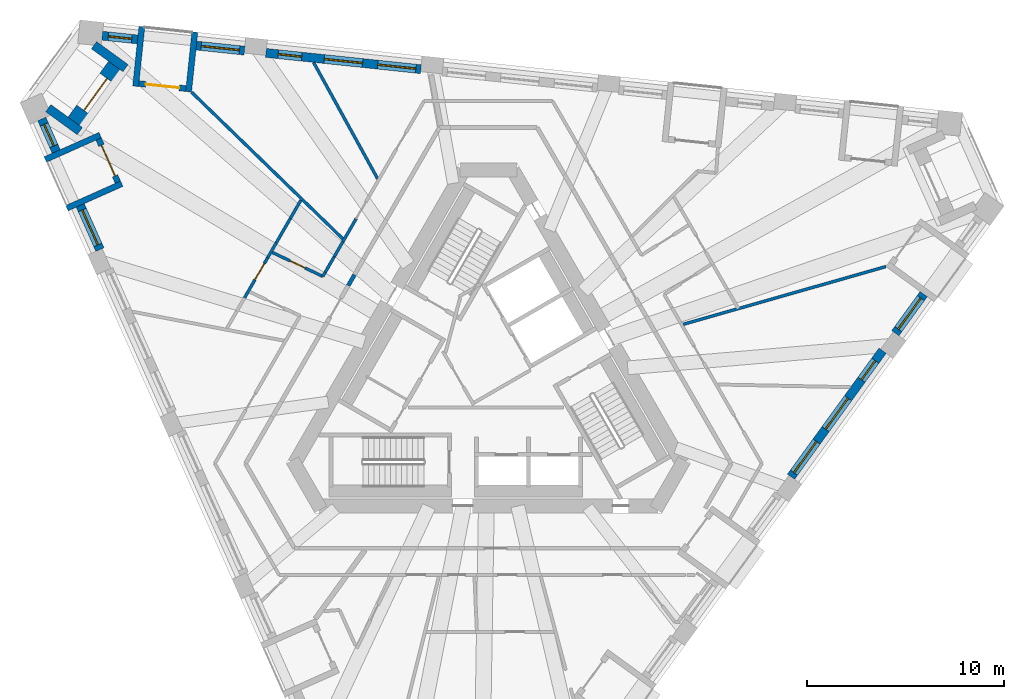
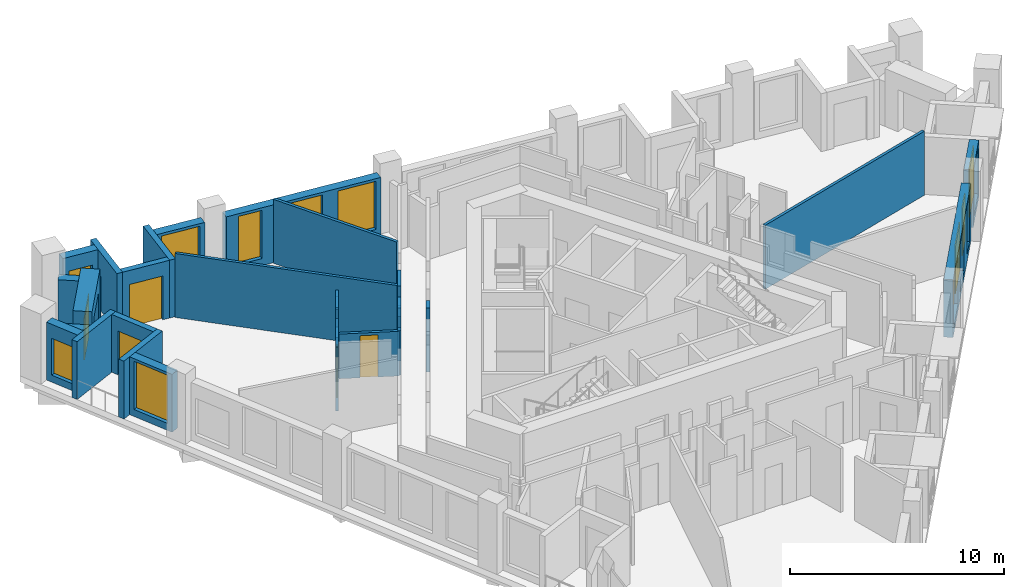
# One storey, part 6 of 11: 29 walls, 11 windows, 5 doors, 16 openings.
"""IFC4 building model written with IfcOpenShell, lengths in metres."""

from ifc_helpers import new_model, si_unit, direction, frame, frame_2d, origin, place, context, subcontext, project, spatial, rectangle, extrude, material, layer, layer_set, type_object, element, fill, save


model = new_model("IFC4")

# Units and contexts
model_context = context("Model", 3, precision=1e-05, world=origin(), true_north=direction((0.0, 1.0)))
body_context = subcontext(model_context, "Body", "Model", "MODEL_VIEW")
ifc_project = project(units=[si_unit("LENGTHUNIT", "METRE"), si_unit("AREAUNIT", "SQUARE_METRE"), si_unit("VOLUMEUNIT", "CUBIC_METRE"), si_unit("PLANEANGLEUNIT", "RADIAN"), si_unit("MASSUNIT", "GRAM", prefix="KILO")], contexts=[model_context])

# Site, building, storey
site_placement = place(None, origin())
site = spatial("IfcSite", under=ifc_project, at=site_placement, CompositionType="ELEMENT")
building_placement = place(site_placement, origin())
building = spatial("IfcBuilding", under=site, at=building_placement, Name="Tramontana Tower", CompositionType="ELEMENT")
storey_placement = place(building_placement, frame((0.0, 0.0, 253.199951171875)))
storey = spatial("IfcBuildingStorey", under=building, at=storey_placement, Name="L59", CompositionType="ELEMENT", Elevation=253.199951171875)

# Wall
ifc_material_1 = material(Name="Blockwork", Category="masonry")
ifc_layer_1 = layer(ifc_material_1, 0.199951171875)
ifc_layer_set_1 = layer_set([ifc_layer_1], Name="ENTRY WALL 200")
wall_type_1 = type_object("IfcWallType", Name="ENTRY WALL 200", PredefinedType="SOLIDWALL", material=ifc_layer_set_1)
wall_1_placement = place(storey_placement, frame((-7.11181640625, 4.78173828125, 0.0), z_axis=(0.0, 0.0, 1.0), x_axis=(0.499956208541, 0.866050685319, 0.0)))
element("IfcWall", 1, at=wall_1_placement, inside=storey, type_object=wall_type_1, Name="Wall v61-ew3-6", PredefinedType="SOLIDWALL", context=body_context, shape_type="SweptSolid", body=[
    extrude(rectangle(XDim=0.6328125, YDim=0.199951171875, at=frame_2d((0.31640625, 0.0))), origin(), (0.0, 0.0, 1.0), 3.650146484375),
])

# Wall, opening, window
ifc_material_2 = material(Name="Precast concrete 60 MPa", Category="concrete")
ifc_layer_2 = layer(ifc_material_2, 0.449951171875)
ifc_layer_set_2 = layer_set([ifc_layer_2], Name="Precast concrete 60 MPa, 450 mm")
wall_type_2 = type_object("IfcWallType", Name="EW1 Stone-faced precast wall 450", PredefinedType="SOLIDWALL", material=ifc_layer_set_2)
wall_2_placement = place(storey_placement, frame((-22.67041015625, 13.240478515625, 0.0), z_axis=(0.0, 0.0, 1.0), x_axis=(0.406779346191, -0.913526443795, 0.0)))
wall_2 = element("IfcWall", 2, at=wall_2_placement, inside=storey, type_object=wall_type_2, Name="External wall L59 face 0 bay 1", PredefinedType="SOLIDWALL", context=body_context, shape_type="SweptSolid", body=[
    extrude(rectangle(XDim=1.80224609375, YDim=0.449951171875, at=frame_2d((0.901123046875, 0.0))), origin(), (0.0, 0.0, 1.0), 3.300048828125),
])
opening_1_placement = place(wall_2_placement, frame((0.301025390625, 0.0, 0.39990234375)))
opening_1 = element("IfcOpeningElement", 3, at=opening_1_placement, cuts=wall_2, Name="Opening N3L", PredefinedType="OPENING", context=body_context, shape_type="SweptSolid", body=[
    extrude(rectangle(XDim=1.199951171875, YDim=2.10009765625, at=frame_2d((0.60009765625, 1.050048828125))), frame((0.0, 0.23486328125, 0.0), z_axis=(0.0, -1.0, 0.0), x_axis=(1.0, 0.0, 0.0)), (0.0, 0.0, 1.0), 0.469970703125),
])
ifc_material_3 = material(Name="Aluminum frame, double glazing unit", Category="aluminium")
window_type_1 = type_object("IfcWindowType", Name="N3L Window 1.2 x 2.1", PartitioningType="SINGLE_PANEL", PredefinedType="WINDOW", material=ifc_material_3)
window_1_placement = place(opening_1_placement, origin())
window_1 = element("IfcWindow", 4, at=window_1_placement, inside=storey, type_object=window_type_1, Name="Window N3L L59 face 0 module 1", OverallHeight=2.10009765625, OverallWidth=1.199951171875, PartitioningType="SINGLE_PANEL", PredefinedType="WINDOW", context=body_context, shape_type="SweptSolid", body=[
    extrude(rectangle(XDim=1.199951171875, YDim=2.10009765625, at=frame_2d((0.60009765625, 1.050048828125))), frame((0.0, 0.030029296875, 0.0), z_axis=(0.0, -1.0, 0.0), x_axis=(1.0, 0.0, 0.0)), (0.0, 0.0, 1.0), 0.06005859375),
])
fill(opening_1, window_1)

wall_3_placement = place(storey_placement, frame((-20.71630859375, 8.851318359375, 0.0), z_axis=(0.0, 0.0, 1.0), x_axis=(0.406821962592, -0.913507466172, 0.0)))
wall_3 = element("IfcWall", 5, at=wall_3_placement, inside=storey, type_object=wall_type_2, Name="External wall L59 face 0 bay 1", PredefinedType="SOLIDWALL", context=body_context, shape_type="SweptSolid", body=[
    extrude(rectangle(XDim=2.4521484375, YDim=0.449951171875, at=frame_2d((1.22607421875, 0.0))), origin(), (0.0, 0.0, 1.0), 3.300048828125),
])
opening_2_placement = place(wall_3_placement, frame((0.251220703125, 0.0, 0.39990234375)))
opening_2 = element("IfcOpeningElement", 6, at=opening_2_placement, cuts=wall_3, Name="Opening M3", PredefinedType="OPENING", context=body_context, shape_type="SweptSolid", body=[
    extrude(rectangle(XDim=1.949951171875, YDim=2.75, at=frame_2d((0.97509765625, 1.375))), frame((0.0, 0.23486328125, 0.0), z_axis=(0.0, -1.0, 0.0), x_axis=(1.0, 0.0, 0.0)), (0.0, 0.0, 1.0), 0.469970703125),
])
ifc_material_4 = material(Name="Aluminum frame, double glazing unit", Category="aluminium")
window_type_2 = type_object("IfcWindowType", Name="M3 Window 1.95 x 2.75", PartitioningType="SINGLE_PANEL", PredefinedType="WINDOW", material=ifc_material_4)
window_2_placement = place(opening_2_placement, origin())
window_2 = element("IfcWindow", 7, at=window_2_placement, inside=storey, type_object=window_type_2, Name="Window M3 L59 face 0 module 3", OverallHeight=2.75, OverallWidth=1.949951171875, PartitioningType="SINGLE_PANEL", PredefinedType="WINDOW", context=body_context, shape_type="SweptSolid", body=[
    extrude(rectangle(XDim=1.949951171875, YDim=2.75, at=frame_2d((0.97509765625, 1.375))), frame((0.0, 0.030029296875, 0.0), z_axis=(0.0, -1.0, 0.0), x_axis=(1.0, 0.0, 0.0)), (0.0, 0.0, 1.0), 0.06005859375),
])
fill(opening_2, window_2)

# Wall, openings, windows
wall_4_placement = place(storey_placement, frame((15.368408203125, -4.919677734375, 0.0), z_axis=(0.0, 0.0, 1.0), x_axis=(0.587782407267, 0.809019061399, 0.0)))
wall_4 = element("IfcWall", 8, at=wall_4_placement, inside=storey, type_object=wall_type_2, Name="External wall L59 face 1 bay 4", PredefinedType="SOLIDWALL", context=body_context, shape_type="SweptSolid", body=[
    extrude(rectangle(XDim=7.90673828125, YDim=0.449951171875, at=frame_2d((3.953369140625, 0.0))), origin(), (0.0, 0.0, 1.0), 3.300048828125),
])
opening_3_placement = place(wall_4_placement, frame((0.251220703125, 0.0, 0.39990234375)))
opening_3 = element("IfcOpeningElement", 9, at=opening_3_placement, cuts=wall_4, Name="Opening M3", PredefinedType="OPENING", context=body_context, shape_type="SweptSolid", body=[
    extrude(rectangle(XDim=1.949951171875, YDim=2.75, at=frame_2d((0.97509765625, 1.375))), frame((0.0, 0.23486328125, 0.0), z_axis=(0.0, -1.0, 0.0), x_axis=(1.0, 0.0, 0.0)), (0.0, 0.0, 1.0), 0.469970703125),
])
opening_4_placement = place(wall_4_placement, frame((2.978271484375, 0.0, 0.39990234375)))
opening_4 = element("IfcOpeningElement", 10, at=opening_4_placement, cuts=wall_4, Name="Opening M3", PredefinedType="OPENING", context=body_context, shape_type="SweptSolid", body=[
    extrude(rectangle(XDim=1.949951171875, YDim=2.75, at=frame_2d((0.97509765625, 1.375))), frame((0.0, 0.23486328125, 0.0), z_axis=(0.0, -1.0, 0.0), x_axis=(1.0, 0.0, 0.0)), (0.0, 0.0, 1.0), 0.469970703125),
])
opening_5_placement = place(wall_4_placement, frame((6.08056640625, 0.0, 0.39990234375)))
opening_5 = element("IfcOpeningElement", 11, at=opening_5_placement, cuts=wall_4, Name="Opening N3", PredefinedType="OPENING", context=body_context, shape_type="SweptSolid", body=[
    extrude(rectangle(XDim=1.199951171875, YDim=2.75, at=frame_2d((0.60009765625, 1.375))), frame((0.0, 0.23486328125, 0.0), z_axis=(0.0, -1.0, 0.0), x_axis=(1.0, 0.0, 0.0)), (0.0, 0.0, 1.0), 0.469970703125),
])
window_3_placement = place(opening_3_placement, origin())
window_3 = element("IfcWindow", 12, at=window_3_placement, inside=storey, type_object=window_type_2, Name="Window M3 L59 face 1 module 10", OverallHeight=2.75, OverallWidth=1.949951171875, PartitioningType="SINGLE_PANEL", PredefinedType="WINDOW", context=body_context, shape_type="SweptSolid", body=[
    extrude(rectangle(XDim=1.949951171875, YDim=2.75, at=frame_2d((0.97509765625, 1.375))), frame((0.0, 0.030029296875, 0.0), z_axis=(0.0, -1.0, 0.0), x_axis=(1.0, 0.0, 0.0)), (0.0, 0.0, 1.0), 0.06005859375),
])
fill(opening_3, window_3)
window_4_placement = place(opening_4_placement, origin())
window_4 = element("IfcWindow", 13, at=window_4_placement, inside=storey, type_object=window_type_2, Name="Window M3 L59 face 1 module 11", OverallHeight=2.75, OverallWidth=1.949951171875, PartitioningType="SINGLE_PANEL", PredefinedType="WINDOW", context=body_context, shape_type="SweptSolid", body=[
    extrude(rectangle(XDim=1.949951171875, YDim=2.75, at=frame_2d((0.97509765625, 1.375))), frame((0.0, 0.030029296875, 0.0), z_axis=(0.0, -1.0, 0.0), x_axis=(1.0, 0.0, 0.0)), (0.0, 0.0, 1.0), 0.06005859375),
])
fill(opening_4, window_4)
ifc_material_5 = material(Name="Aluminum frame, double glazing unit", Category="aluminium")
window_type_3 = type_object("IfcWindowType", Name="N3 Window 1.2 x 2.75", PartitioningType="SINGLE_PANEL", PredefinedType="WINDOW", material=ifc_material_5)
window_5_placement = place(opening_5_placement, origin())
window_5 = element("IfcWindow", 14, at=window_5_placement, inside=storey, type_object=window_type_3, Name="Window N3 L59 face 1 module 12", OverallHeight=2.75, OverallWidth=1.199951171875, PartitioningType="SINGLE_PANEL", PredefinedType="WINDOW", context=body_context, shape_type="SweptSolid", body=[
    extrude(rectangle(XDim=1.199951171875, YDim=2.75, at=frame_2d((0.60009765625, 1.375))), frame((0.0, 0.030029296875, 0.0), z_axis=(0.0, -1.0, 0.0), x_axis=(1.0, 0.0, 0.0)), (0.0, 0.0, 1.0), 0.06005859375),
])
fill(opening_5, window_5)

# Wall, opening, window
wall_5_placement = place(storey_placement, frame((20.662353515625, 2.366943359375, 0.0), z_axis=(0.0, 0.0, 1.0), x_axis=(0.587792773076, 0.809011530152, 0.0)))
wall_5 = element("IfcWall", 15, at=wall_5_placement, inside=storey, type_object=wall_type_2, Name="External wall L59 face 1 bay 5", PredefinedType="SOLIDWALL", context=body_context, shape_type="SweptSolid", body=[
    extrude(rectangle(XDim=2.4521484375, YDim=0.449951171875, at=frame_2d((1.22607421875, 0.0))), origin(), (0.0, 0.0, 1.0), 3.300048828125),
])
opening_6_placement = place(wall_5_placement, frame((0.251220703125, 0.0, 0.39990234375)))
opening_6 = element("IfcOpeningElement", 16, at=opening_6_placement, cuts=wall_5, Name="Opening M3", PredefinedType="OPENING", context=body_context, shape_type="SweptSolid", body=[
    extrude(rectangle(XDim=1.949951171875, YDim=2.75, at=frame_2d((0.97509765625, 1.375))), frame((0.0, 0.23486328125, 0.0), z_axis=(0.0, -1.0, 0.0), x_axis=(1.0, 0.0, 0.0)), (0.0, 0.0, 1.0), 0.469970703125),
])
window_6_placement = place(opening_6_placement, origin())
window_6 = element("IfcWindow", 17, at=window_6_placement, inside=storey, type_object=window_type_2, Name="Window M3 L59 face 1 module 13", OverallHeight=2.75, OverallWidth=1.949951171875, PartitioningType="SINGLE_PANEL", PredefinedType="WINDOW", context=body_context, shape_type="SweptSolid", body=[
    extrude(rectangle(XDim=1.949951171875, YDim=2.75, at=frame_2d((0.97509765625, 1.375))), frame((0.0, 0.030029296875, 0.0), z_axis=(0.0, -1.0, 0.0), x_axis=(1.0, 0.0, 0.0)), (0.0, 0.0, 1.0), 0.06005859375),
])
fill(opening_6, window_6)

# Wall, openings, windows
wall_6_placement = place(storey_placement, frame((-3.423828125, 15.769287109375, 0.0), z_axis=(0.0, 0.0, 1.0), x_axis=(-0.994522528385, 0.104522440343, 0.0)))
wall_6 = element("IfcWall", 18, at=wall_6_placement, inside=storey, type_object=wall_type_2, Name="External wall L59 face 2 bay 4", PredefinedType="SOLIDWALL", context=body_context, shape_type="SweptSolid", body=[
    extrude(rectangle(XDim=7.906494140625, YDim=0.449951171875, at=frame_2d((3.953125, 0.0))), origin(), (0.0, 0.0, 1.0), 3.300048828125),
])
opening_7_placement = place(wall_6_placement, frame((0.251220703125, 0.0, 0.39990234375)))
opening_7 = element("IfcOpeningElement", 19, at=opening_7_placement, cuts=wall_6, Name="Opening M3", PredefinedType="OPENING", context=body_context, shape_type="SweptSolid", body=[
    extrude(rectangle(XDim=1.949951171875, YDim=2.75, at=frame_2d((0.97509765625, 1.375))), frame((0.0, 0.23486328125, 0.0), z_axis=(0.0, -1.0, 0.0), x_axis=(1.0, 0.0, 0.0)), (0.0, 0.0, 1.0), 0.469970703125),
])
opening_8_placement = place(wall_6_placement, frame((2.978271484375, 0.0, 0.39990234375)))
opening_8 = element("IfcOpeningElement", 20, at=opening_8_placement, cuts=wall_6, Name="Opening M3", PredefinedType="OPENING", context=body_context, shape_type="SweptSolid", body=[
    extrude(rectangle(XDim=1.949951171875, YDim=2.75, at=frame_2d((0.97509765625, 1.375))), frame((0.0, 0.23486328125, 0.0), z_axis=(0.0, -1.0, 0.0), x_axis=(1.0, 0.0, 0.0)), (0.0, 0.0, 1.0), 0.469970703125),
])
opening_9_placement = place(wall_6_placement, frame((6.08056640625, 0.0, 0.39990234375)))
opening_9 = element("IfcOpeningElement", 21, at=opening_9_placement, cuts=wall_6, Name="Opening N3", PredefinedType="OPENING", context=body_context, shape_type="SweptSolid", body=[
    extrude(rectangle(XDim=1.199951171875, YDim=2.75, at=frame_2d((0.60009765625, 1.375))), frame((0.0, 0.23486328125, 0.0), z_axis=(0.0, -1.0, 0.0), x_axis=(1.0, 0.0, 0.0)), (0.0, 0.0, 1.0), 0.469970703125),
])
window_7_placement = place(opening_7_placement, origin())
window_7 = element("IfcWindow", 22, at=window_7_placement, inside=storey, type_object=window_type_2, Name="Window M3 L59 face 2 module 10", OverallHeight=2.75, OverallWidth=1.949951171875, PartitioningType="SINGLE_PANEL", PredefinedType="WINDOW", context=body_context, shape_type="SweptSolid", body=[
    extrude(rectangle(XDim=1.949951171875, YDim=2.75, at=frame_2d((0.97509765625, 1.375))), frame((0.0, 0.030029296875, 0.0), z_axis=(0.0, -1.0, 0.0), x_axis=(1.0, 0.0, 0.0)), (0.0, 0.0, 1.0), 0.06005859375),
])
fill(opening_7, window_7)
window_8_placement = place(opening_8_placement, origin())
window_8 = element("IfcWindow", 23, at=window_8_placement, inside=storey, type_object=window_type_2, Name="Window M3 L59 face 2 module 11", OverallHeight=2.75, OverallWidth=1.949951171875, PartitioningType="SINGLE_PANEL", PredefinedType="WINDOW", context=body_context, shape_type="SweptSolid", body=[
    extrude(rectangle(XDim=1.949951171875, YDim=2.75, at=frame_2d((0.97509765625, 1.375))), frame((0.0, 0.030029296875, 0.0), z_axis=(0.0, -1.0, 0.0), x_axis=(1.0, 0.0, 0.0)), (0.0, 0.0, 1.0), 0.06005859375),
])
fill(opening_8, window_8)
window_9_placement = place(opening_9_placement, origin())
window_9 = element("IfcWindow", 24, at=window_9_placement, inside=storey, type_object=window_type_3, Name="Window N3 L59 face 2 module 12", OverallHeight=2.75, OverallWidth=1.199951171875, PartitioningType="SINGLE_PANEL", PredefinedType="WINDOW", context=body_context, shape_type="SweptSolid", body=[
    extrude(rectangle(XDim=1.199951171875, YDim=2.75, at=frame_2d((0.60009765625, 1.375))), frame((0.0, 0.030029296875, 0.0), z_axis=(0.0, -1.0, 0.0), x_axis=(1.0, 0.0, 0.0)), (0.0, 0.0, 1.0), 0.06005859375),
])
fill(opening_9, window_9)

# Wall, opening, window
wall_7_placement = place(storey_placement, frame((-12.381103515625, 16.710693359375, 0.0), z_axis=(0.0, 0.0, 1.0), x_axis=(-0.994520717537, 0.104539668977, 0.0)))
wall_7 = element("IfcWall", 25, at=wall_7_placement, inside=storey, type_object=wall_type_2, Name="External wall L59 face 2 bay 5", PredefinedType="SOLIDWALL", context=body_context, shape_type="SweptSolid", body=[
    extrude(rectangle(XDim=2.4521484375, YDim=0.449951171875, at=frame_2d((1.22607421875, 0.0))), origin(), (0.0, 0.0, 1.0), 3.300048828125),
])
opening_10_placement = place(wall_7_placement, frame((0.251220703125, 0.0, 0.39990234375)))
opening_10 = element("IfcOpeningElement", 26, at=opening_10_placement, cuts=wall_7, Name="Opening M3", PredefinedType="OPENING", context=body_context, shape_type="SweptSolid", body=[
    extrude(rectangle(XDim=1.949951171875, YDim=2.75, at=frame_2d((0.97509765625, 1.375))), frame((0.0, 0.23486328125, 0.0), z_axis=(0.0, -1.0, 0.0), x_axis=(1.0, 0.0, 0.0)), (0.0, 0.0, 1.0), 0.469970703125),
])
window_10_placement = place(opening_10_placement, origin())
window_10 = element("IfcWindow", 27, at=window_10_placement, inside=storey, type_object=window_type_2, Name="Window M3 L59 face 2 module 13", OverallHeight=2.75, OverallWidth=1.949951171875, PartitioningType="SINGLE_PANEL", PredefinedType="WINDOW", context=body_context, shape_type="SweptSolid", body=[
    extrude(rectangle(XDim=1.949951171875, YDim=2.75, at=frame_2d((0.97509765625, 1.375))), frame((0.0, 0.030029296875, 0.0), z_axis=(0.0, -1.0, 0.0), x_axis=(1.0, 0.0, 0.0)), (0.0, 0.0, 1.0), 0.06005859375),
])
fill(opening_10, window_10)

wall_8_placement = place(storey_placement, frame((-17.8056640625, 17.28076171875, 0.0), z_axis=(0.0, 0.0, 1.0), x_axis=(-0.994515840559, 0.104586054885, 0.0)))
wall_8 = element("IfcWall", 28, at=wall_8_placement, inside=storey, type_object=wall_type_2, Name="External wall L59 face 2 bay 5", PredefinedType="SOLIDWALL", context=body_context, shape_type="SweptSolid", body=[
    extrude(rectangle(XDim=1.802001953125, YDim=0.449951171875, at=frame_2d((0.90087890625, 0.0))), origin(), (0.0, 0.0, 1.0), 3.300048828125),
])
opening_11_placement = place(wall_8_placement, frame((0.301025390625, 0.0, 0.39990234375)))
opening_11 = element("IfcOpeningElement", 29, at=opening_11_placement, cuts=wall_8, Name="Opening N3L", PredefinedType="OPENING", context=body_context, shape_type="SweptSolid", body=[
    extrude(rectangle(XDim=1.199951171875, YDim=2.10009765625, at=frame_2d((0.60009765625, 1.050048828125))), frame((0.0, 0.23486328125, 0.0), z_axis=(0.0, -1.0, 0.0), x_axis=(1.0, 0.0, 0.0)), (0.0, 0.0, 1.0), 0.469970703125),
])
window_11_placement = place(opening_11_placement, origin())
window_11 = element("IfcWindow", 30, at=window_11_placement, inside=storey, type_object=window_type_1, Name="Window N3L L59 face 2 module 15", OverallHeight=2.10009765625, OverallWidth=1.199951171875, PartitioningType="SINGLE_PANEL", PredefinedType="WINDOW", context=body_context, shape_type="SweptSolid", body=[
    extrude(rectangle(XDim=1.199951171875, YDim=2.10009765625, at=frame_2d((0.60009765625, 1.050048828125))), frame((0.0, 0.030029296875, 0.0), z_axis=(0.0, -1.0, 0.0), x_axis=(1.0, 0.0, 0.0)), (0.0, 0.0, 1.0), 0.06005859375),
])
fill(opening_11, window_11)

# Walls
for number, where, z_axis, x_axis, name in (
    (31, (-22.34033203125, 13.7900390625, 0.0), (0.0, 0.0, 1.0), (0.809040012586, -0.587753569138, 0.0), "Corner loggia side wall L59 K60l"),
    (32, (-20.0185546875, 16.985595703125, 0.0), (0.0, 0.0, 1.0), (0.809040012586, -0.587753569138, 0.0), "Corner loggia side wall L59 K60r"),
):
    element("IfcWall", number, at=place(storey_placement, frame(where, z_axis=z_axis, x_axis=x_axis)), inside=storey, type_object=wall_type_2, Name=name, PredefinedType="SOLIDWALL", context=body_context, shape_type="SweptSolid", body=[
        extrude(rectangle(XDim=1.979248046875, YDim=0.449951171875, at=frame_2d((0.98974609375, 0.0))), origin(), (0.0, 0.0, 1.0), 2.550048828125),
    ])

# Wall, opening, door
ifc_material_6 = material(Name="Precast concrete 60 MPa", Category="concrete")
ifc_layer_3 = layer(ifc_material_6, 0.89990234375)
ifc_layer_set_3 = layer_set([ifc_layer_3], Name="EW2 Stone-faced corner loggia wall 900")
wall_type_3 = type_object("IfcWallType", Name="EW2 Stone-faced corner loggia wall 900", PredefinedType="SOLIDWALL", material=ifc_layer_set_3)
wall_9_placement = place(storey_placement, frame((-20.970947265625, 13.0732421875, 0.0), z_axis=(0.0, 0.0, 1.0), x_axis=(0.587810807352, 0.808998426921, 0.0)))
wall_9 = element("IfcWall", 33, at=wall_9_placement, inside=storey, type_object=wall_type_3, Name="Corner loggia wall L59 K60", PredefinedType="SOLIDWALL", context=body_context, shape_type="SweptSolid", body=[
    extrude(rectangle(XDim=3.5, YDim=0.89990234375, at=frame_2d((1.75, 0.0))), origin(), (0.0, 0.0, 1.0), 3.300048828125),
])
opening_12_placement = place(wall_9_placement, frame((0.75, 0.0, 0.0)))
opening_12 = element("IfcOpeningElement", 34, at=opening_12_placement, cuts=wall_9, Name="Opening BD-60C", PredefinedType="OPENING", context=body_context, shape_type="SweptSolid", body=[
    extrude(rectangle(XDim=2.0, YDim=2.39990234375, at=frame_2d((1.0, 1.199951171875))), frame((0.0, 0.4599609375, 0.0), z_axis=(0.0, -1.0, 0.0), x_axis=(1.0, 0.0, 0.0)), (0.0, 0.0, 1.0), 0.919921875),
])
ifc_material_7 = material(Name="Aluminum frame, double glazing unit", Category="aluminium")
door_type_1 = type_object("IfcDoorType", Name="BC1 Sliding door 2 x 2.4", OperationType="SLIDING_TO_LEFT", PredefinedType="DOOR", material=ifc_material_7)
door_1_placement = place(opening_12_placement, origin())
door_1 = element("IfcDoor", 35, at=door_1_placement, inside=storey, type_object=door_type_1, Name="Corner loggia door L59 K60", OperationType="SLIDING_TO_LEFT", OverallHeight=2.39990234375, OverallWidth=2.0, PredefinedType="DOOR", context=body_context, shape_type="SweptSolid", body=[
    extrude(rectangle(XDim=2.0, YDim=2.39990234375, at=frame_2d((1.0, 1.199951171875))), frame((0.0, 0.02490234375, 0.0), z_axis=(0.0, -1.0, 0.0), x_axis=(1.0, 0.0, 0.0)), (0.0, 0.0, 1.0), 0.050048828125),
])
fill(opening_12, door_1)

ifc_material_8 = material(Name="Precast concrete 60 MPa", Category="concrete")
ifc_layer_4 = layer(ifc_material_8, 0.300048828125)
ifc_layer_set_4 = layer_set([ifc_layer_4], Name="LW1 Stone-faced loggia wall 300")
wall_type_4 = type_object("IfcWallType", Name="LW1 Stone-faced loggia wall 300", PredefinedType="SOLIDWALL", material=ifc_layer_set_4)
wall_10_placement = place(storey_placement, frame((-19.78271484375, 12.22509765625, 0.0), z_axis=(0.0, 0.0, 1.0), x_axis=(0.406723017018, -0.913551524232, 0.0)))
wall_10 = element("IfcWall", 36, at=wall_10_placement, inside=storey, type_object=wall_type_4, Name="Loggia wall L59 G6S0.1", PredefinedType="SOLIDWALL", context=body_context, shape_type="SweptSolid", body=[
    extrude(rectangle(XDim=2.40234375, YDim=0.300048828125, at=frame_2d((1.201171875, 0.0))), origin(), (0.0, 0.0, 1.0), 3.300048828125),
])
opening_13_placement = place(wall_10_placement, frame((0.35107421875, 0.0, 0.0)))
opening_13 = element("IfcOpeningElement", 37, at=opening_13_placement, cuts=wall_10, Name="Opening BD-6S0-01", PredefinedType="OPENING", context=body_context, shape_type="SweptSolid", body=[
    extrude(rectangle(XDim=1.699951171875, YDim=2.5, at=frame_2d((0.85009765625, 1.25))), frame((0.0, 0.159912109375, 0.0), z_axis=(0.0, -1.0, 0.0), x_axis=(1.0, 0.0, 0.0)), (0.0, 0.0, 1.0), 0.320068359375),
])
ifc_material_9 = material(Name="Aluminum frame, double glazing unit", Category="aluminium")
door_type_2 = type_object("IfcDoorType", Name="BD3 Sliding door 1.7 x 2.5", OperationType="SLIDING_TO_LEFT", PredefinedType="DOOR", material=ifc_material_9)
door_2_placement = place(opening_13_placement, origin())
door_2 = element("IfcDoor", 38, at=door_2_placement, inside=storey, type_object=door_type_2, Name="Loggia door L59 G6S0.1", OperationType="SLIDING_TO_LEFT", OverallHeight=2.5, OverallWidth=1.699951171875, PredefinedType="DOOR", context=body_context, shape_type="SweptSolid", body=[
    extrude(rectangle(XDim=1.699951171875, YDim=2.5, at=frame_2d((0.85009765625, 1.25))), frame((0.0, 0.02490234375, 0.0), z_axis=(0.0, -1.0, 0.0), x_axis=(1.0, 0.0, 0.0)), (0.0, 0.0, 1.0), 0.050048828125),
])
fill(opening_13, door_2)

# Walls
wall_11_placement = place(storey_placement, frame((-22.492919921875, 11.1826171875, 0.0), z_axis=(0.0, 0.0, 1.0), x_axis=(0.913557205168, 0.406710256677, 0.0)))
element("IfcWall", 39, at=wall_11_placement, inside=storey, type_object=wall_type_4, Name="Loggia return L59 G6S0.1a", PredefinedType="SOLIDWALL", context=body_context, shape_type="SweptSolid", body=[
    extrude(rectangle(XDim=3.050048828125, YDim=0.300048828125, at=frame_2d((1.52490234375, 0.0))), origin(), (0.0, 0.0, 1.0), 3.300048828125),
])
wall_12_placement = place(storey_placement, frame((-21.393798828125, 8.7138671875, 0.0), z_axis=(0.0, 0.0, 1.0), x_axis=(0.91354396316, 0.406739999721, 0.0)))
element("IfcWall", 40, at=wall_12_placement, inside=storey, type_object=wall_type_4, Name="Loggia return L59 G6S0.1b", PredefinedType="SOLIDWALL", context=body_context, shape_type="SweptSolid", body=[
    extrude(rectangle(XDim=3.0498046875, YDim=0.300048828125, at=frame_2d((1.52490234375, 0.0))), origin(), (0.0, 0.0, 1.0), 3.300048828125),
])

# Wall, opening, door
wall_13_placement = place(storey_placement, frame((-15.350830078125, 14.78564453125, 0.0), z_axis=(0.0, 0.0, 1.0), x_axis=(-0.994526595554, 0.104483734311, 0.0)))
wall_13 = element("IfcWall", 41, at=wall_13_placement, inside=storey, type_object=wall_type_4, Name="Loggia wall L59 G6S2.13", PredefinedType="SOLIDWALL", context=body_context, shape_type="SweptSolid", body=[
    extrude(rectangle(XDim=2.402099609375, YDim=0.300048828125, at=frame_2d((1.201171875, 0.0))), origin(), (0.0, 0.0, 1.0), 3.300048828125),
])
opening_14_placement = place(wall_13_placement, frame((0.35107421875, 0.0, 0.0)))
opening_14 = element("IfcOpeningElement", 42, at=opening_14_placement, cuts=wall_13, Name="Opening BD-6S2-13", PredefinedType="OPENING", context=body_context, shape_type="SweptSolid", body=[
    extrude(rectangle(XDim=1.699951171875, YDim=2.5, at=frame_2d((0.85009765625, 1.25))), frame((0.0, 0.159912109375, 0.0), z_axis=(0.0, -1.0, 0.0), x_axis=(1.0, 0.0, 0.0)), (0.0, 0.0, 1.0), 0.320068359375),
])
door_3_placement = place(opening_14_placement, origin())
door_3 = element("IfcDoor", 43, at=door_3_placement, inside=storey, type_object=door_type_2, Name="Loggia door L59 G6S2.13", OperationType="SLIDING_TO_LEFT", OverallHeight=2.5, OverallWidth=1.699951171875, PredefinedType="DOOR", context=body_context, shape_type="SweptSolid", body=[
    extrude(rectangle(XDim=1.699951171875, YDim=2.5, at=frame_2d((0.85009765625, 1.25))), frame((0.0, 0.02490234375, 0.0), z_axis=(0.0, -1.0, 0.0), x_axis=(1.0, 0.0, 0.0)), (0.0, 0.0, 1.0), 0.050048828125),
])
fill(opening_14, door_3)

# Walls
wall_14_placement = place(storey_placement, frame((-14.8984375, 17.654052734375, 0.0), z_axis=(0.0, 0.0, 1.0), x_axis=(-0.104543108891, -0.994520355942, 0.0)))
element("IfcWall", 44, at=wall_14_placement, inside=storey, type_object=wall_type_4, Name="Loggia return L59 G6S2.13a", PredefinedType="SOLIDWALL", context=body_context, shape_type="SweptSolid", body=[
    extrude(rectangle(XDim=3.0498046875, YDim=0.300048828125, at=frame_2d((1.52490234375, 0.0))), origin(), (0.0, 0.0, 1.0), 3.300048828125),
])
wall_15_placement = place(storey_placement, frame((-17.5859375, 17.9365234375, 0.0), z_axis=(0.0, 0.0, 1.0), x_axis=(-0.104534786906, -0.994521230707, 0.0)))
element("IfcWall", 45, at=wall_15_placement, inside=storey, type_object=wall_type_4, Name="Loggia return L59 G6S2.13b", PredefinedType="SOLIDWALL", context=body_context, shape_type="SweptSolid", body=[
    extrude(rectangle(XDim=3.050048828125, YDim=0.300048828125, at=frame_2d((1.52490234375, 0.0))), origin(), (0.0, 0.0, 1.0), 3.300048828125),
])
ifc_material_10 = material(Name="Gypsum board partition")
ifc_layer_5 = layer(ifc_material_10, 0.14990234375)
ifc_layer_set_5 = layer_set([ifc_layer_5], Name="PARTITION 150")
wall_type_5 = type_object("IfcWallType", Name="PARTITION 150", PredefinedType="PARTITIONING", material=ifc_layer_set_5)
wall_16_placement = place(storey_placement, frame((-15.068115234375, 14.60498046875, 0.0), z_axis=(0.0, 0.0, 1.0), x_axis=(0.718053113918, -0.695988308517, 0.0)))
element("IfcWall", 46, at=wall_16_placement, inside=storey, type_object=wall_type_5, Name="Wall v61-pw00", PredefinedType="PARTITIONING", context=body_context, shape_type="SweptSolid", body=[
    extrude(rectangle(XDim=10.699462890625, YDim=0.14990234375, at=frame_2d((5.349609375, 0.0))), origin(), (0.0, 0.0, 1.0), 3.650146484375),
])

# Wall, opening, door
wall_17_placement = place(storey_placement, frame((-12.376220703125, 4.16357421875, 0.0), z_axis=(0.0, 0.0, 1.0), x_axis=(0.499998569178, 0.866026229868, 0.0)))
wall_17 = element("IfcWall", 47, at=wall_17_placement, inside=storey, type_object=wall_type_5, Name="Wall v61-pw02-2", PredefinedType="PARTITIONING", context=body_context, shape_type="SweptSolid", body=[
    extrude(rectangle(XDim=2.34716796875, YDim=0.14990234375, at=frame_2d((1.173583984375, 0.0))), origin(), (0.0, 0.0, 1.0), 3.650146484375),
])
opening_15_placement = place(wall_17_placement, frame((1.06396484375, 0.0, 0.0)))
opening_15 = element("IfcOpeningElement", 48, at=opening_15_placement, cuts=wall_17, Name="Opening B6B-03", PredefinedType="OPENING", context=body_context, shape_type="SweptSolid", body=[
    extrude(rectangle(XDim=0.949951171875, YDim=2.39990234375, at=frame_2d((0.47509765625, 1.199951171875))), frame((0.0, 0.0849609375, 0.0), z_axis=(0.0, -1.0, 0.0), x_axis=(1.0, 0.0, 0.0)), (0.0, 0.0, 1.0), 0.169921875),
])
ifc_material_11 = material(Name="Painted timber", Category="wood")
door_type_3 = type_object("IfcDoorType", Name="DOOR ROOM 950", OperationType="SINGLE_SWING_LEFT", PredefinedType="DOOR", material=ifc_material_11)
door_4_placement = place(opening_15_placement, origin())
door_4 = element("IfcDoor", 49, at=door_4_placement, inside=storey, type_object=door_type_3, Name="Door B6B-03", OperationType="SINGLE_SWING_LEFT", OverallHeight=2.39990234375, OverallWidth=0.949951171875, PredefinedType="DOOR", context=body_context, shape_type="SweptSolid", body=[
    extrude(rectangle(XDim=0.949951171875, YDim=2.39990234375, at=frame_2d((0.47509765625, 1.199951171875))), frame((0.0, 0.02490234375, 0.0), z_axis=(0.0, -1.0, 0.0), x_axis=(1.0, 0.0, 0.0)), (0.0, 0.0, 1.0), 0.050048828125),
])
fill(opening_15, door_4)

# Walls
wall_18_placement = place(storey_placement, frame((-11.20263671875, 6.1962890625, 0.0), z_axis=(0.0, 0.0, 1.0), x_axis=(0.499980071345, 0.866036909293, 0.0)))
element("IfcWall", 50, at=wall_18_placement, inside=storey, type_object=wall_type_5, Name="Wall v61-pw02-3", PredefinedType="PARTITIONING", context=body_context, shape_type="SweptSolid", body=[
    extrude(rectangle(XDim=0.875, YDim=0.14990234375, at=frame_2d((0.4375, 0.0))), origin(), (0.0, 0.0, 1.0), 2.550048828125),
])
wall_19_placement = place(storey_placement, frame((-10.76513671875, 6.9541015625, 0.0), z_axis=(0.0, 0.0, 1.0), x_axis=(0.500029111807, 0.866008595423, 0.0)))
element("IfcWall", 51, at=wall_19_placement, inside=storey, type_object=wall_type_5, Name="Wall v61-pw02-4", PredefinedType="PARTITIONING", context=body_context, shape_type="SweptSolid", body=[
    extrude(rectangle(XDim=1.42431640625, YDim=0.14990234375, at=frame_2d((0.712158203125, 0.0))), origin(), (0.0, 0.0, 1.0), 3.650146484375),
])
wall_20_placement = place(storey_placement, frame((-10.052978515625, 8.1875, 0.0), z_axis=(0.0, 0.0, 1.0), x_axis=(0.499827299837, 0.866125089313, 0.0)))
element("IfcWall", 52, at=wall_20_placement, inside=storey, type_object=wall_type_5, Name="Wall v61-pw02-5", PredefinedType="PARTITIONING", context=body_context, shape_type="SweptSolid", body=[
    extrude(rectangle(XDim=1.0751953125, YDim=0.14990234375, at=frame_2d((0.53759765625, 0.0))), origin(), (0.0, 0.0, 1.0), 2.550048828125),
])

# Wall, opening, door
wall_21_placement = place(storey_placement, frame((-10.9619140625, 6.46337890625, 0.0), z_axis=(0.0, 0.0, 1.0), x_axis=(0.903783433079, -0.427990077096, 0.0)))
wall_21 = element("IfcWall", 53, at=wall_21_placement, inside=storey, type_object=wall_type_5, Name="Wall v61-pw04-0", PredefinedType="PARTITIONING", context=body_context, shape_type="SweptSolid", body=[
    extrude(rectangle(XDim=2.83447265625, YDim=0.14990234375, at=frame_2d((1.417236328125, 0.0))), origin(), (0.0, 0.0, 1.0), 2.550048828125),
])
opening_16_placement = place(wall_21_placement, frame((0.9921875, 0.0, 0.0)))
opening_16 = element("IfcOpeningElement", 54, at=opening_16_placement, cuts=wall_21, Name="Opening B6B-02", PredefinedType="OPENING", context=body_context, shape_type="SweptSolid", body=[
    extrude(rectangle(XDim=0.85009765625, YDim=2.39990234375, at=frame_2d((0.425048828125, 1.199951171875))), frame((0.0, 0.0849609375, 0.0), z_axis=(0.0, -1.0, 0.0), x_axis=(1.0, 0.0, 0.0)), (0.0, 0.0, 1.0), 0.169921875),
])
ifc_material_12 = material(Name="Painted timber", Category="wood")
door_type_4 = type_object("IfcDoorType", Name="DOOR BATH 850", OperationType="SINGLE_SWING_LEFT", PredefinedType="DOOR", material=ifc_material_12)
door_5_placement = place(opening_16_placement, origin())
door_5 = element("IfcDoor", 55, at=door_5_placement, inside=storey, type_object=door_type_4, Name="Door B6B-02", OperationType="SINGLE_SWING_RIGHT", OverallHeight=2.39990234375, OverallWidth=0.85009765625, PredefinedType="DOOR", context=body_context, shape_type="SweptSolid", body=[
    extrude(rectangle(XDim=0.85009765625, YDim=2.39990234375, at=frame_2d((0.425048828125, 1.199951171875))), frame((0.0, 0.02490234375, 0.0), z_axis=(0.0, -1.0, 0.0), x_axis=(1.0, 0.0, 0.0)), (0.0, 0.0, 1.0), 0.050048828125),
])
fill(opening_16, door_5)

# Walls
wall_22_placement = place(storey_placement, frame((-8.871826171875, 16.11572265625, 0.0), z_axis=(0.0, 0.0, 1.0), x_axis=(0.482252500192, -0.876032263138, 0.0)))
element("IfcWall", 56, at=wall_22_placement, inside=storey, type_object=wall_type_5, Name="Wall v61-pw08", PredefinedType="PARTITIONING", context=body_context, shape_type="SweptSolid", body=[
    extrude(rectangle(XDim=6.73876953125, YDim=0.14990234375, at=frame_2d((3.369384765625, 0.0))), origin(), (0.0, 0.0, 1.0), 3.650146484375),
])
wall_23_placement = place(storey_placement, frame((-8.400146484375, 5.250244140625, 0.0), z_axis=(0.0, 0.0, 1.0), x_axis=(0.499323735398, 0.866415493437, 0.0)))
element("IfcWall", 57, at=wall_23_placement, inside=storey, type_object=wall_type_5, Name="Wall v61-pw09-0", PredefinedType="PARTITIONING", context=body_context, shape_type="SweptSolid", body=[
    extrude(rectangle(XDim=0.247314453125, YDim=0.14990234375, at=frame_2d((0.12353515625, 0.0))), origin(), (0.0, 0.0, 1.0), 2.550048828125),
])
wall_24_placement = place(storey_placement, frame((-8.276611328125, 5.464599609375, 0.0), z_axis=(0.0, 0.0, 1.0), x_axis=(0.50004290449, 0.866000631449, 0.0)))
element("IfcWall", 58, at=wall_24_placement, inside=storey, type_object=wall_type_5, Name="Wall v61-pw09-1", PredefinedType="PARTITIONING", context=body_context, shape_type="SweptSolid", body=[
    extrude(rectangle(XDim=0.9013671875, YDim=0.14990234375, at=frame_2d((0.45068359375, 0.0))), origin(), (0.0, 0.0, 1.0), 3.650146484375),
])
wall_25_placement = place(storey_placement, frame((-7.825927734375, 6.2451171875, 0.0), z_axis=(0.0, 0.0, 1.0), x_axis=(0.499967368674, 0.86604424267, 0.0)))
element("IfcWall", 59, at=wall_25_placement, inside=storey, type_object=wall_type_5, Name="Wall v61-pw09-2", PredefinedType="PARTITIONING", context=body_context, shape_type="SweptSolid", body=[
    extrude(rectangle(XDim=0.8916015625, YDim=0.14990234375, at=frame_2d((0.44580078125, 0.0))), origin(), (0.0, 0.0, 1.0), 2.550048828125),
])
wall_26_placement = place(storey_placement, frame((-7.380126953125, 7.017333984375, 0.0), z_axis=(0.0, 0.0, 1.0), x_axis=(0.50009965996, 0.865967857434, 0.0)))
element("IfcWall", 60, at=wall_26_placement, inside=storey, type_object=wall_type_5, Name="Wall v61-pw09-3", PredefinedType="PARTITIONING", context=body_context, shape_type="SweptSolid", body=[
    extrude(rectangle(XDim=1.325927734375, YDim=0.14990234375, at=frame_2d((0.6630859375, 0.0))), origin(), (0.0, 0.0, 1.0), 3.650146484375),
])
wall_27_placement = place(storey_placement, frame((20.182373046875, 5.746826171875, 0.0), z_axis=(0.0, 0.0, 1.0), x_axis=(-0.961769821248, -0.27385910782, 0.0)))
element("IfcWall", 61, at=wall_27_placement, inside=storey, type_object=wall_type_5, Name="Wall v61-pw40", PredefinedType="PARTITIONING", context=body_context, shape_type="SweptSolid", body=[
    extrude(rectangle(XDim=10.699462890625, YDim=0.14990234375, at=frame_2d((5.349609375, 0.0))), origin(), (0.0, 0.0, 1.0), 3.650146484375),
])

save(model, "model.ifc")
